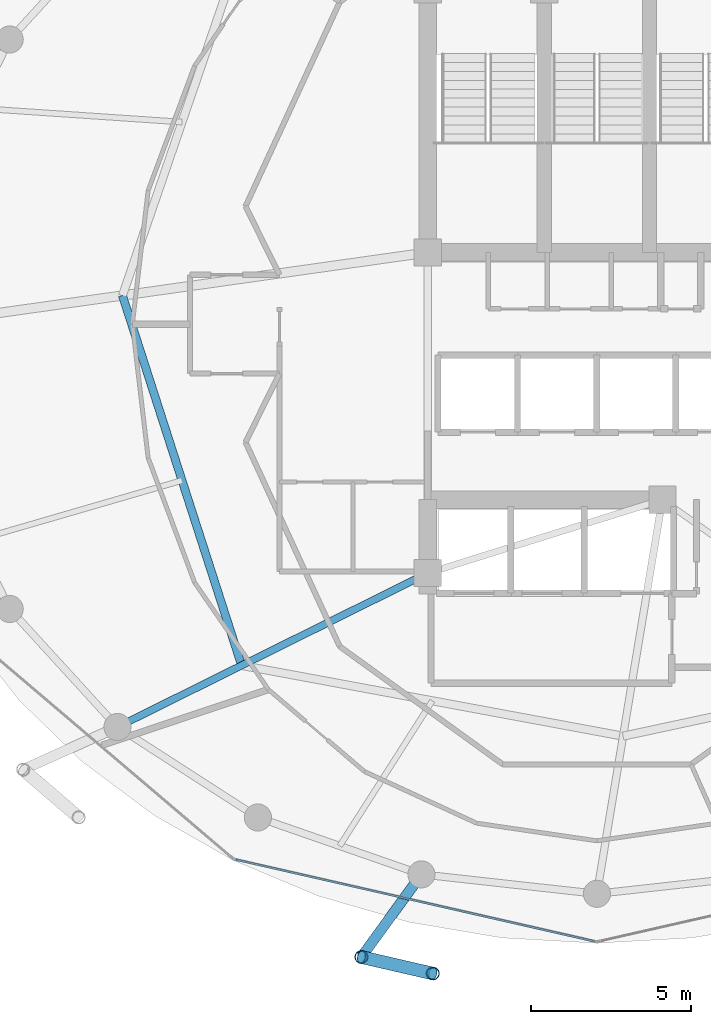
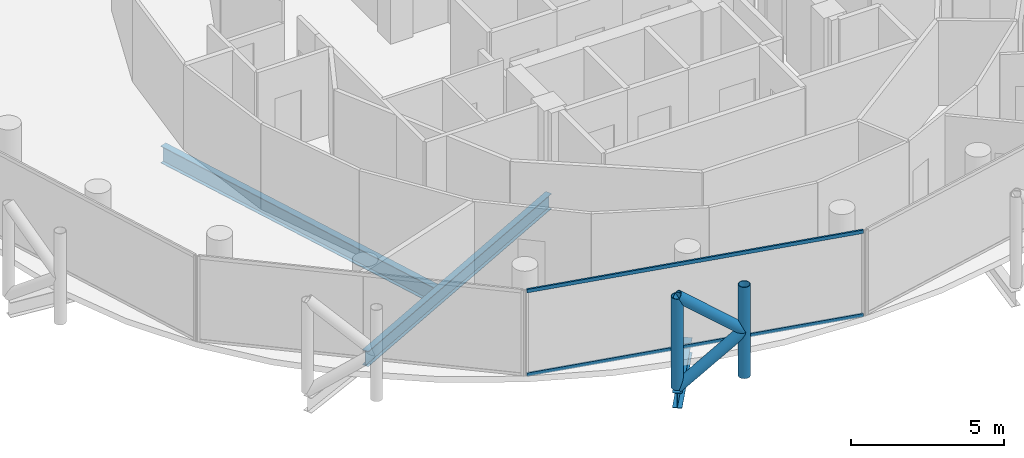
# One storey, part 4 of 27: 6 members, 3 beams, 1 element without a shape of its own.
"""IFC4 building model written with IfcOpenShell, lengths in metres."""

from ifc_helpers import new_model, si_unit, direction, frame, origin, origin_2d, place, context, subcontext, project, spatial, hollow_rectangle, hollow_circle, i_section, extrude, material, layer, layer_set, material_profile, profile_set, type_object, element, aggregate, save


model = new_model("IFC4")

# Units and contexts
model_context = context("Model", 3, precision=1e-05, world=origin(), true_north=direction((0.0, 1.0)))
body_context = subcontext(model_context, "Body", "Model", "MODEL_VIEW")
ifc_project = project(units=[si_unit("LENGTHUNIT", "METRE"), si_unit("AREAUNIT", "SQUARE_METRE"), si_unit("VOLUMEUNIT", "CUBIC_METRE"), si_unit("PLANEANGLEUNIT", "RADIAN"), si_unit("MASSUNIT", "GRAM", prefix="KILO")], contexts=[model_context])

# Site, building, storey
site_placement = place(None, origin())
site = spatial("IfcSite", under=ifc_project, at=site_placement, CompositionType="ELEMENT")
building_placement = place(site_placement, origin())
building = spatial("IfcBuilding", under=site, at=building_placement, Name="Nuhasar Tower", CompositionType="ELEMENT")
storey_placement = place(building_placement, frame((0.0, 0.0, 233.699951171875)))
storey = spatial("IfcBuildingStorey", under=building, at=storey_placement, Name="L57", CompositionType="ELEMENT", Elevation=233.699951171875)

# Beams
ifc_material_1 = material(Name="Steel S355", Category="steel")
ifc_material_profile_1 = material_profile(ifc_material_1, i_section(OverallWidth=0.25390625, OverallDepth=0.68408203125, WebThickness=0.012451171875, FlangeThickness=0.018798828125, at=origin_2d()), Name="W27X94")
ifc_profile_set_1 = profile_set([ifc_material_profile_1], Name="Steel S355")
beam_type_1 = type_object("IfcBeamType", Name="BM-INRING-W27X94", PredefinedType="BEAM", material=ifc_profile_set_1)
beam_1_placement = place(storey_placement, frame((24.1298828125, 27.699951171875, -0.58203125), z_axis=(0.306589852134, -0.951841721385, 0.0), x_axis=(0.951841721385, 0.306589852134, 0.0)))
element("IfcBeam", 1, at=beam_1_placement, inside=storey, type_object=beam_type_1, Name="L57 Inner Header Beam 08", PredefinedType="BEAM", context=body_context, shape_type="SweptSolid", body=[
    extrude(i_section(OverallWidth=0.25390625, OverallDepth=0.68408203125, WebThickness=0.012451171875, FlangeThickness=0.018798828125, at=origin_2d()), origin(), (0.0, 0.0, 1.0), 12.179443359375),
])
ifc_material_profile_2 = material_profile(ifc_material_1, i_section(OverallWidth=0.22900390625, OverallDepth=0.612060546875, WebThickness=0.011962890625, FlangeThickness=0.01953125, at=origin_2d()), Name="W24X84")
ifc_profile_set_2 = profile_set([ifc_material_profile_2], Name="Steel S355")
beam_type_2 = type_object("IfcBeamType", Name="BM-RAD-W24X84", PredefinedType="BEAM", material=ifc_profile_set_2)
beam_2_placement = place(storey_placement, frame((33.699951171875, 19.0, -0.5458984375), z_axis=(-0.895928935233, -0.444197414459, 0.0), x_axis=(0.444197414459, -0.895928935233, 0.0)))
element("IfcBeam", 2, at=beam_2_placement, inside=storey, type_object=beam_type_2, Name="L57 Radial Floor Girder 01", PredefinedType="BEAM", context=body_context, shape_type="SweptSolid", body=[
    extrude(i_section(OverallWidth=0.22900390625, OverallDepth=0.612060546875, WebThickness=0.011962890625, FlangeThickness=0.01953125, at=origin_2d()), origin(), (0.0, 0.0, 1.0), 10.85546875),
])
ifc_material_profile_3 = material_profile(ifc_material_1, i_section(OverallWidth=0.323974609375, OverallDepth=0.611083984375, WebThickness=0.0126953125, FlangeThickness=0.01904296875, at=origin_2d()), Name="W24X104")
ifc_profile_set_3 = profile_set([ifc_material_profile_3], Name="Steel S355")
beam_type_3 = type_object("IfcBeamType", Name="BM-TIE-W24X104", PredefinedType="BEAM", material=ifc_profile_set_3)
beam_3_placement = place(storey_placement, frame((33.5, 9.55810546875, -0.544921875), z_axis=(-0.588094663461, -0.808792103577, 0.0), x_axis=(0.808792103577, -0.588094663461, 0.0)))
element("IfcBeam", 3, at=beam_3_placement, inside=storey, type_object=beam_type_3, Name="L57 Exoskeleton Node Tie Beam 09", PredefinedType="BEAM", context=body_context, shape_type="SweptSolid", body=[
    extrude(i_section(OverallWidth=0.323974609375, OverallDepth=0.611083984375, WebThickness=0.0126953125, FlangeThickness=0.01904296875, at=origin_2d()), origin(), (0.0, 0.0, 1.0), 3.20361328125),
])

# Curtain wall, members
ifc_material_2 = material(Name="Aluminium 6063-T6", Category="aluminium")
ifc_layer = layer(ifc_material_2, 0.18994140625)
ifc_layer_set = layer_set([ifc_layer], Name="Aluminium 6063-T6")
curtain_wall_type = type_object("IfcCurtainWallType", Name="CW-Z3-RES", PredefinedType="NOTDEFINED", material=ifc_layer_set)
curtain_wall_placement = place(storey_placement, origin())
curtain_wall = element("IfcCurtainWall", 4, at=curtain_wall_placement, inside=storey, type_object=curtain_wall_type, Name="L57 Unitised Curtain Wall 09", PredefinedType="NOTDEFINED")
ifc_material_profile_4 = material_profile(ifc_material_2, hollow_rectangle(XDim=0.06494140625, YDim=0.139892578125, WallThickness=0.00439453125, at=origin_2d()), Name="CWT-4")
ifc_profile_set_4 = profile_set([ifc_material_profile_4], Name="Aluminium 6063-T6")
member_type_1 = type_object("IfcMemberType", Name="CW-TRN-S4", PredefinedType="USERDEFINED", material=ifc_profile_set_4)
member_1_placement = place(storey_placement, frame((27.683349609375, 10.01953125, 0.032470703125), z_axis=(0.974989487479, -0.222250982686, 0.0), x_axis=(0.222250982686, 0.974989487479, 0.0)))
member_1 = element("IfcMember", 5, at=member_1_placement, type_object=member_type_1, Name="CW-Z3 transom 1.1", ObjectType="TRANSOM", PredefinedType="USERDEFINED", context=body_context, shape_type="SweptSolid", body=[
    extrude(hollow_rectangle(XDim=0.06494140625, YDim=0.139892578125, WallThickness=0.00439453125, at=origin_2d()), origin(), (0.0, 0.0, 1.0), 11.541748046875),
])
member_2_placement = place(storey_placement, frame((27.683349609375, 10.01953125, 3.37744140625), z_axis=(0.974989487479, -0.222250982686, 0.0), x_axis=(0.222250982686, 0.974989487479, 0.0)))
member_2 = element("IfcMember", 6, at=member_2_placement, type_object=member_type_1, Name="CW-Z3 transom 1.2", ObjectType="TRANSOM", PredefinedType="USERDEFINED", context=body_context, shape_type="SweptSolid", body=[
    extrude(hollow_rectangle(XDim=0.06494140625, YDim=0.139892578125, WallThickness=0.00439453125, at=origin_2d()), origin(), (0.0, 0.0, 1.0), 11.541748046875),
])
aggregate(curtain_wall, [member_1, member_2])

# Members
ifc_material_3 = material(Name="Steel S460", Category="steel")
ifc_material_profile_5 = material_profile(ifc_material_3, hollow_circle(Radius=0.203125, WallThickness=0.01904296875, at=origin_2d()), Name="HSS406.4X19.1")
ifc_profile_set_5 = profile_set([ifc_material_profile_5], Name="Steel S460")
member_type_2 = type_object("IfcMemberType", Name="EXO-BRONZE-406", PredefinedType="BRACE", material=ifc_profile_set_5)
for number, where, z_axis, x_axis, name in (
    (7, (31.615966796875, 6.967041015625, 0.0), (0.0, 0.0, 1.0), (1.0, 0.0, 0.0), "L57 Exoskeleton Chord Column EC-09A"),
    (8, (33.85693359375, 6.450927734375, 0.0), (0.0, 0.0, 1.0), (1.0, 0.0, 0.0), "L57 Exoskeleton Chord Column EC-09B"),
):
    element("IfcMember", number, at=place(storey_placement, frame(where, z_axis=z_axis, x_axis=x_axis)), inside=storey, type_object=member_type_2, Name=name, PredefinedType="BRACE", context=body_context, shape_type="SweptSolid", body=[
        extrude(hollow_circle(Radius=0.203125, WallThickness=0.01904296875, at=origin_2d()), origin(), (0.0, 0.0, 1.0), 3.650146484375),
    ])
member_3_placement = place(storey_placement, frame((31.615966796875, 6.967041015625, 0.0), z_axis=(0.76333158458, -0.175801609086, 0.621625841021), x_axis=(0.224433035437, 0.97448951385, 0.0)))
element("IfcMember", 9, at=member_3_placement, inside=storey, type_object=member_type_2, Name="L57 Bronze Diagrid Brace W1-09", PredefinedType="BRACE", context=body_context, shape_type="SweptSolid", body=[
    extrude(hollow_circle(Radius=0.203125, WallThickness=0.01904296875, at=origin_2d()), origin(), (0.0, 0.0, 1.0), 2.935791015625),
])
member_4_placement = place(storey_placement, frame((33.85693359375, 6.450927734375, 1.824951171875), z_axis=(-0.763292124721, 0.175792521153, 0.621676862884), x_axis=(-0.224433035437, -0.97448951385, 0.0)))
element("IfcMember", 10, at=member_4_placement, inside=storey, type_object=member_type_2, Name="L57 Bronze Diagrid Brace W2-09", PredefinedType="BRACE", context=body_context, shape_type="SweptSolid", body=[
    extrude(hollow_circle(Radius=0.203125, WallThickness=0.01904296875, at=origin_2d()), origin(), (0.0, 0.0, 1.0), 2.93603515625),
])

save(model, "model.ifc")
